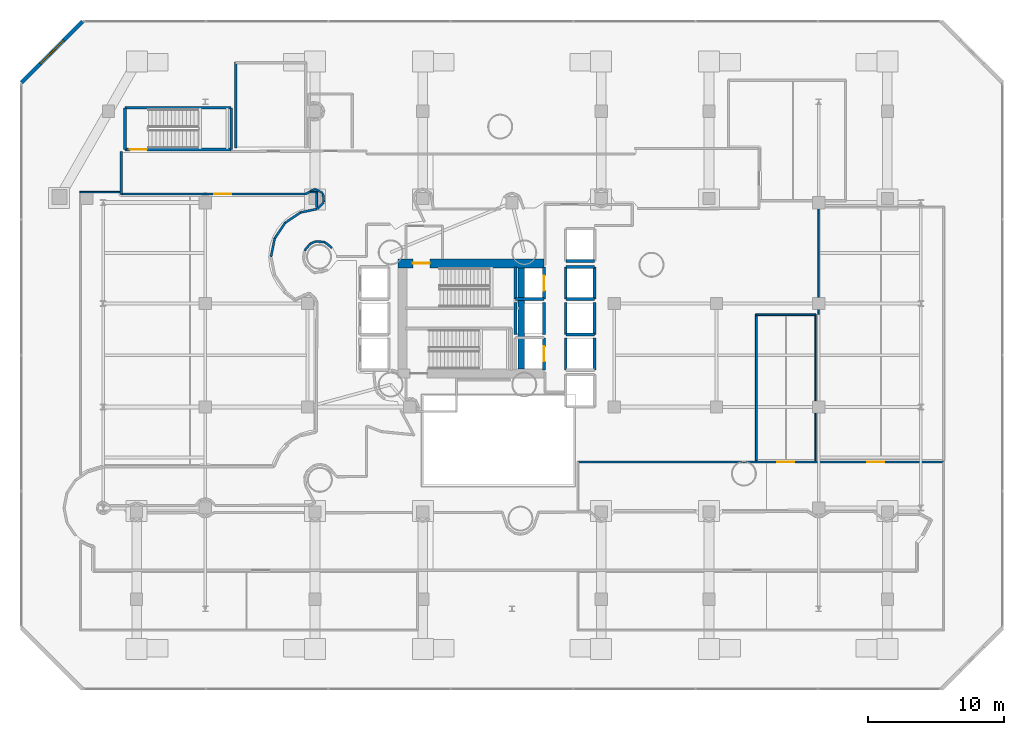
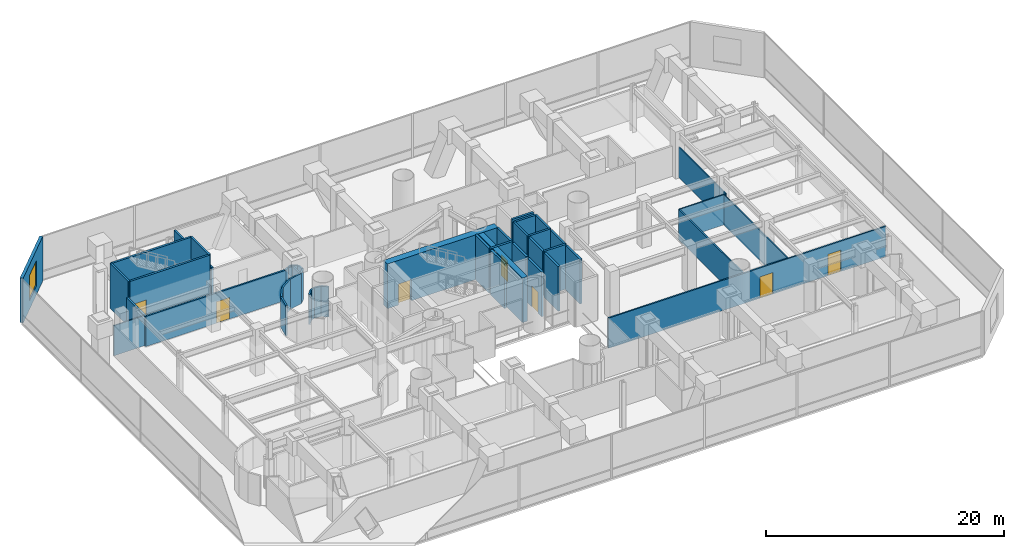
# One storey, part 33 of 45: 46 walls, 7 doors, 1 window, 8 openings.
"""IFC4 building model written with IfcOpenShell, lengths in metres."""

from ifc_helpers import new_model, si_unit, direction, frame, frame_2d, origin, place, context, subcontext, project, spatial, rectangle, extrude, material, layer, layer_set, type_object, element, fill, save


model = new_model("IFC4")

# Units and contexts
model_context = context("Model", 3, precision=1e-05, world=origin(), true_north=direction((0.0, 1.0)))
body_context = subcontext(model_context, "Body", "Model", "MODEL_VIEW")
ifc_project = project(units=[si_unit("LENGTHUNIT", "METRE"), si_unit("AREAUNIT", "SQUARE_METRE"), si_unit("VOLUMEUNIT", "CUBIC_METRE"), si_unit("PLANEANGLEUNIT", "RADIAN"), si_unit("MASSUNIT", "GRAM", prefix="KILO")], contexts=[model_context])

# Site, building, storey
site_placement = place(None, origin())
site = spatial("IfcSite", under=ifc_project, at=site_placement, CompositionType="ELEMENT")
building_placement = place(site_placement, origin())
building = spatial("IfcBuilding", under=site, at=building_placement, Name="Qianvela Tower", CompositionType="ELEMENT")
storey_placement = place(building_placement, frame((0.0, 0.0, 11.0)))
storey = spatial("IfcBuildingStorey", under=building, at=storey_placement, Name="L02", CompositionType="ELEMENT", Elevation=11.0)

# Wall, opening, window
ifc_material_1 = material(Name="Terracotta Cladding on Concrete C40", Category="masonry")
ifc_layer_1 = layer(ifc_material_1, 0.280029296875)
ifc_layer_set_1 = layer_set([ifc_layer_1], Name="Terracotta Cladding on Concrete C40")
wall_type_1 = type_object("IfcWallType", Name="TERRACOTTA-WALL-280", PredefinedType="SOLIDWALL", material=ifc_layer_set_1)
wall_1_placement = place(storey_placement, frame((6.0, 50.5, 0.0), z_axis=(0.0, 0.0, 1.0), x_axis=(-0.707106781187, -0.707106781187, 0.0)))
wall_1 = element("IfcWall", 1, at=wall_1_placement, inside=storey, type_object=wall_type_1, Name="L02 Terracotta Corner Wall 6", PredefinedType="SOLIDWALL", context=body_context, shape_type="SweptSolid", body=[
    extrude(rectangle(XDim=6.364013671875, YDim=0.280029296875, at=frame_2d((3.18212890625, 0.0))), origin(), (0.0, 0.0, 1.0), 4.580078125),
])
opening_1_placement = place(wall_1_placement, frame((1.98193359375, 0.0, 0.89990234375)))
opening_1 = element("IfcOpeningElement", 2, at=opening_1_placement, cuts=wall_1, Name="Opening W-05", PredefinedType="OPENING", context=body_context, shape_type="SweptSolid", body=[
    extrude(rectangle(XDim=2.39990234375, YDim=2.60009765625, at=frame_2d((1.199951171875, 1.300048828125))), frame((0.0, 0.14990234375, 0.0), z_axis=(0.0, -1.0, 0.0), x_axis=(1.0, 0.0, 0.0)), (0.0, 0.0, 1.0), 0.300048828125),
])
ifc_material_2 = material(Name="Thermally Broken Aluminium and Low-E Glass", Category="aluminium")
window_type = type_object("IfcWindowType", Name="WIN-POD-2400x2600", PartitioningType="TRIPLE_PANEL_VERTICAL", PredefinedType="WINDOW", material=ifc_material_2)
window_placement = place(opening_1_placement, origin())
window = element("IfcWindow", 3, at=window_placement, inside=storey, type_object=window_type, Name="L02 Chamfer Facet Window 6.1", OverallHeight=2.60009765625, OverallWidth=2.39990234375, PartitioningType="SINGLE_PANEL", PredefinedType="WINDOW", context=body_context, shape_type="SweptSolid", body=[
    extrude(rectangle(XDim=2.39990234375, YDim=2.60009765625, at=frame_2d((1.199951171875, 1.300048828125))), frame((0.0, 0.030029296875, 0.0), z_axis=(0.0, -1.0, 0.0), x_axis=(1.0, 0.0, 0.0)), (0.0, 0.0, 1.0), 0.06005859375),
])
fill(opening_1, window)

# Wall, opening, door
ifc_material_3 = material(Name="Concrete C60", Category="concrete")
ifc_layer_2 = layer(ifc_material_3, 0.64990234375)
ifc_layer_set_2 = layer_set([ifc_layer_2], Name="Concrete C60")
wall_type_2 = type_object("IfcWallType", Name="WT-CORE-650", PredefinedType="SHEAR", material=ifc_layer_set_2)
wall_2_placement = place(storey_placement, frame((29.1298828125, 32.7451171875, 0.0), z_axis=(0.0, 0.0, 1.0), x_axis=(1.0, 0.0, 0.0)))
wall_2 = element("IfcWall", 4, at=wall_2_placement, inside=storey, type_object=wall_type_2, Name="L02 North Core Shear Wall", PredefinedType="SHEAR", context=body_context, shape_type="SweptSolid", body=[
    extrude(rectangle(XDim=10.72021484375, YDim=0.64990234375, at=frame_2d((5.360107421875, 0.0))), origin(), (0.0, 0.0, 1.0), 4.580078125),
])
opening_2_placement = place(wall_2_placement, frame((1.094970703125, 0.0, 0.0)))
opening_2 = element("IfcOpeningElement", 5, at=opening_2_placement, cuts=wall_2, Name="Opening D-ST1", PredefinedType="OPENING", context=body_context, shape_type="SweptSolid", body=[
    extrude(rectangle(XDim=1.25, YDim=2.14990234375, at=frame_2d((0.625, 1.074951171875))), frame((0.0, 0.3349609375, 0.0), z_axis=(0.0, -1.0, 0.0), x_axis=(1.0, 0.0, 0.0)), (0.0, 0.0, 1.0), 0.669921875),
])
ifc_material_4 = material(Name="Galvanised Fire Steel Q355B", Category="steel")
door_type_1 = type_object("IfcDoorType", Name="DT-STAIR-FD90", OperationType="NOTDEFINED", PredefinedType="DOOR", material=ifc_material_4)
door_1_placement = place(opening_2_placement, origin())
door_1 = element("IfcDoor", 6, at=door_1_placement, inside=storey, type_object=door_type_1, Name="L02 Stair ST-1 Exit Door", OperationType="SINGLE_SWING_RIGHT", OverallHeight=2.14990234375, OverallWidth=1.25, PredefinedType="DOOR", context=body_context, shape_type="SweptSolid", body=[
    extrude(rectangle(XDim=1.25, YDim=2.14990234375, at=frame_2d((0.625, 1.074951171875))), frame((0.0, 0.02490234375, 0.0), z_axis=(0.0, -1.0, 0.0), x_axis=(1.0, 0.0, 0.0)), (0.0, 0.0, 1.0), 0.050048828125),
])
fill(opening_2, door_1)

# Walls
wall_3_placement = place(storey_placement, frame((38.179931640625, 24.97998046875, 0.0), z_axis=(0.0, 0.0, 1.0), x_axis=(0.0, 1.0, 0.0)))
element("IfcWall", 7, at=wall_3_placement, inside=storey, type_object=wall_type_2, Name="L02 East Spine Core Shear Wall", PredefinedType="SHEAR", context=body_context, shape_type="SweptSolid", body=[
    extrude(rectangle(XDim=7.43994140625, YDim=0.5, at=frame_2d((3.719970703125, 0.0))), origin(), (0.0, 0.0, 1.0), 4.580078125),
])
ifc_material_5 = material(Name="Fire-Rated Gypsum and Concrete Block", Category="concrete")
ifc_layer_3 = layer(ifc_material_5, 0.159912109375)
ifc_layer_set_3 = layer_set([ifc_layer_3], Name="Fire-Rated Gypsum and Concrete Block")
wall_type_3 = type_object("IfcWallType", Name="WT-CORR-160", PredefinedType="PARTITIONING", material=ifc_layer_set_3)
wall_4_placement = place(storey_placement, frame((19.818359375, 33.221923828125, 0.0), z_axis=(0.0, 0.0, 1.0), x_axis=(0.195099252282, 0.980783504021, 0.0)))
element("IfcWall", 8, at=wall_4_placement, inside=storey, type_object=wall_type_3, Name="L02 Partition 105", PredefinedType="PARTITIONING", context=body_context, shape_type="SweptSolid", body=[
    extrude(rectangle(XDim=1.38525390625, YDim=0.159912109375, at=frame_2d((0.692626953125, 0.0))), origin(), (0.0, 0.0, 1.0), 3.10009765625),
])
for number, where, z_axis, x_axis, name in (
    (9, (20.083984375, 34.5693359375, 0.0), (0.0, 0.0, 1.0), (0.555594771308, 0.831453215819, 0.0), "L02 Partition 106"),
    (10, (20.844970703125, 35.71240234375, 0.0), (0.0, 0.0, 1.0), (0.831453215819, 0.555594771308, 0.0), "L02 Partition 107"),
):
    element("IfcWall", number, at=place(storey_placement, frame(where, z_axis=z_axis, x_axis=x_axis)), inside=storey, type_object=wall_type_3, Name=name, PredefinedType="PARTITIONING", context=body_context, shape_type="SweptSolid", body=[
        extrude(rectangle(XDim=1.385009765625, YDim=0.159912109375, at=frame_2d((0.6923828125, 0.0))), origin(), (0.0, 0.0, 1.0), 3.10009765625),
    ])
wall_5_placement = place(storey_placement, frame((21.98583984375, 36.477294921875, 0.0), z_axis=(0.0, 0.0, 1.0), x_axis=(0.978580947187, 0.205862405023, 0.0)))
element("IfcWall", 11, at=wall_5_placement, inside=storey, type_object=wall_type_3, Name="L02 Partition 108", PredefinedType="PARTITIONING", context=body_context, shape_type="SweptSolid", body=[
    extrude(rectangle(XDim=1.246337890625, YDim=0.159912109375, at=frame_2d((0.623046875, 0.0))), origin(), (0.0, 0.0, 1.0), 3.10009765625),
])
wall_6_placement = place(storey_placement, frame((23.221435546875, 36.742919921875, 0.0), z_axis=(0.0, 0.0, 1.0), x_axis=(0.696042953303, 0.718000144259, 0.0)))
element("IfcWall", 12, at=wall_6_placement, inside=storey, type_object=wall_type_3, Name="L02 Partition 109", PredefinedType="PARTITIONING", context=body_context, shape_type="SweptSolid", body=[
    extrude(rectangle(XDim=0.667236328125, YDim=0.159912109375, at=frame_2d((0.33349609375, 0.0))), origin(), (0.0, 0.0, 1.0), 3.10009765625),
])
for number, where, z_axis, x_axis, name in (
    (13, (23.694580078125, 37.24658203125, 0.0), (0.0, 0.0, 1.0), (-0.098164363006, 0.995170215509, 0.0), "L02 Partition 110"),
    (14, (23.6162109375, 37.899658203125, 0.0), (0.0, 0.0, 1.0), (-0.882042462076, 0.471169921679, 0.0), "L02 Partition 111"),
):
    element("IfcWall", number, at=place(storey_placement, frame(where, z_axis=z_axis, x_axis=x_axis)), inside=storey, type_object=wall_type_3, Name=name, PredefinedType="PARTITIONING", context=body_context, shape_type="SweptSolid", body=[
        extrude(rectangle(XDim=0.631591796875, YDim=0.159912109375, at=frame_2d((0.31591796875, 0.0))), origin(), (0.0, 0.0, 1.0), 3.10009765625),
    ])
wall_7_placement = place(storey_placement, frame((23.02978515625, 38.197265625, 0.0), z_axis=(0.0, 0.0, 1.0), x_axis=(-0.880007613405, -0.474959577595, 0.0)))
element("IfcWall", 15, at=wall_7_placement, inside=storey, type_object=wall_type_3, Name="L02 Partition 112", PredefinedType="PARTITIONING", context=body_context, shape_type="SweptSolid", body=[
    extrude(rectangle(XDim=0.77880859375, YDim=0.159912109375, at=frame_2d((0.389404296875, 0.0))), origin(), (0.0, 0.0, 1.0), 3.10009765625),
])

# Wall, opening, door
wall_8_placement = place(storey_placement, frame((22.359130859375, 37.8310546875, 0.0), z_axis=(0.0, 0.0, 1.0), x_axis=(-1.0, 0.0, 0.0)))
wall_8 = element("IfcWall", 16, at=wall_8_placement, inside=storey, type_object=wall_type_3, Name="L02 Partition 113", PredefinedType="PARTITIONING", context=body_context, shape_type="SweptSolid", body=[
    extrude(rectangle(XDim=13.55908203125, YDim=0.159912109375, at=frame_2d((6.779541015625, 0.0))), origin(), (0.0, 0.0, 1.0), 3.10009765625),
])
opening_3_placement = place(wall_8_placement, frame((5.45458984375, 0.0, 0.0)))
opening_3 = element("IfcOpeningElement", 17, at=opening_3_placement, cuts=wall_8, Name="Opening D-LG1", PredefinedType="OPENING", context=body_context, shape_type="SweptSolid", body=[
    extrude(rectangle(XDim=1.25, YDim=2.199951171875, at=frame_2d((0.625, 1.10009765625))), frame((0.0, 0.08984375, 0.0), z_axis=(0.0, -1.0, 0.0), x_axis=(1.0, 0.0, 0.0)), (0.0, 0.0, 1.0), 0.179931640625),
])
ifc_material_6 = material(Name="Anodised Aluminium Acoustic Glass Door", Category="aluminium")
door_type_2 = type_object("IfcDoorType", Name="DT-LOUNGE-1250", OperationType="NOTDEFINED", PredefinedType="DOOR", material=ifc_material_6)
door_2_placement = place(opening_3_placement, origin())
door_2 = element("IfcDoor", 18, at=door_2_placement, inside=storey, type_object=door_type_2, Name="L02 Door L02 Social Study Lounge West to L02 Concourse Gallery Corridor", OperationType="SINGLE_SWING_LEFT", OverallHeight=2.199951171875, OverallWidth=1.25, PredefinedType="DOOR", context=body_context, shape_type="SweptSolid", body=[
    extrude(rectangle(XDim=1.25, YDim=2.199951171875, at=frame_2d((0.625, 1.10009765625))), frame((0.0, 0.02490234375, 0.0), z_axis=(0.0, -1.0, 0.0), x_axis=(1.0, 0.0, 0.0)), (0.0, 0.0, 1.0), 0.050048828125),
])
fill(opening_3, door_2)

# Walls
wall_9_placement = place(storey_placement, frame((8.8310546875, 37.800048828125, 0.0), z_axis=(0.0, 0.0, 1.0), x_axis=(0.0, 1.0, 0.0)))
element("IfcWall", 19, at=wall_9_placement, inside=storey, type_object=wall_type_3, Name="L02 Partition 114", PredefinedType="PARTITIONING", context=body_context, shape_type="SweptSolid", body=[
    extrude(rectangle(XDim=3.159912109375, YDim=0.159912109375, at=frame_2d((1.580078125, 0.0))), origin(), (0.0, 0.0, 1.0), 3.10009765625),
])
wall_10_placement = place(storey_placement, frame((24.288818359375, 33.874267578125, 0.0), z_axis=(0.0, 0.0, 1.0), x_axis=(-0.773002523958, 0.634402946048, 0.0)))
element("IfcWall", 20, at=wall_10_placement, inside=storey, type_object=wall_type_3, Name="L02 Partition 144", PredefinedType="PARTITIONING", context=body_context, shape_type="SweptSolid", body=[
    extrude(rectangle(XDim=0.64990234375, YDim=0.159912109375, at=frame_2d((0.324951171875, 0.0))), origin(), (0.0, 0.0, 1.0), 3.10009765625),
])
wall_11_placement = place(storey_placement, frame((23.76953125, 34.293701171875, 0.0), z_axis=(0.0, 0.0, 1.0), x_axis=(-0.995184807955, 0.098016315048, 0.0)))
element("IfcWall", 21, at=wall_11_placement, inside=storey, type_object=wall_type_3, Name="L02 Partition 145", PredefinedType="PARTITIONING", context=body_context, shape_type="SweptSolid", body=[
    extrude(rectangle(XDim=0.650146484375, YDim=0.159912109375, at=frame_2d((0.3251953125, 0.0))), origin(), (0.0, 0.0, 1.0), 3.10009765625),
])
wall_12_placement = place(storey_placement, frame((23.107666015625, 34.35498046875, 0.0), z_axis=(0.0, 0.0, 1.0), x_axis=(-0.924098490076, -0.382154393719, 0.0)))
element("IfcWall", 22, at=wall_12_placement, inside=storey, type_object=wall_type_3, Name="L02 Partition 146", PredefinedType="PARTITIONING", context=body_context, shape_type="SweptSolid", body=[
    extrude(rectangle(XDim=0.43701171875, YDim=0.159912109375, at=frame_2d((0.218505859375, 0.0))), origin(), (0.0, 0.0, 1.0), 3.10009765625),
])
wall_13_placement = place(storey_placement, frame((22.69189453125, 34.178955078125, 0.0), z_axis=(0.0, 0.0, 1.0), x_axis=(-0.634443165816, -0.772969513855, 0.0)))
element("IfcWall", 23, at=wall_13_placement, inside=storey, type_object=wall_type_3, Name="L02 Partition 147", PredefinedType="PARTITIONING", context=body_context, shape_type="SweptSolid", body=[
    extrude(rectangle(XDim=0.650390625, YDim=0.159912109375, at=frame_2d((0.3251953125, 0.0))), origin(), (0.0, 0.0, 1.0), 3.10009765625),
])
ifc_material_7 = material(Name="Lightweight Gypsum Room Partition")
ifc_layer_4 = layer(ifc_material_7, 0.10498046875)
ifc_layer_set_4 = layer_set([ifc_layer_4], Name="Lightweight Gypsum Room Partition")
wall_type_4 = type_object("IfcWallType", Name="WT-PART-105", PredefinedType="PARTITIONING", material=ifc_layer_set_4)
wall_14_placement = place(storey_placement, frame((59.76904296875, 29.0, 0.0), z_axis=(0.0, 0.0, 1.0), x_axis=(0.0, -1.0, 0.0)))
element("IfcWall", 24, at=wall_14_placement, inside=storey, type_object=wall_type_4, Name="L02 Partition 227", PredefinedType="PARTITIONING", context=body_context, shape_type="SweptSolid", body=[
    extrude(rectangle(XDim=10.738037109375, YDim=0.10498046875, at=frame_2d((5.369140625, 0.0))), origin(), (0.0, 0.0, 1.0), 3.10009765625),
])
wall_15_placement = place(storey_placement, frame((5.800048828125, 37.968994140625, 0.0), z_axis=(0.0, 0.0, 1.0), x_axis=(1.0, 0.0, 0.0)))
element("IfcWall", 25, at=wall_15_placement, inside=storey, type_object=wall_type_4, Name="L02 Partition 254 seg 1", PredefinedType="PARTITIONING", context=body_context, shape_type="SweptSolid", body=[
    extrude(rectangle(XDim=2.93798828125, YDim=0.10498046875, at=frame_2d((1.468994140625, 0.0))), origin(), (0.0, 0.0, 1.0), 3.10009765625),
])
wall_16_placement = place(storey_placement, frame((22.700439453125, 37.968994140625, 0.0), z_axis=(0.0, 0.0, 1.0), x_axis=(1.0, 0.0, 0.0)))
element("IfcWall", 26, at=wall_16_placement, inside=storey, type_object=wall_type_4, Name="L02 Partition 257", PredefinedType="PARTITIONING", context=body_context, shape_type="SweptSolid", body=[
    extrude(rectangle(XDim=0.49951171875, YDim=0.10498046875, at=frame_2d((0.249755859375, 0.0))), origin(), (0.0, 0.0, 1.0), 3.10009765625),
])
ifc_material_8 = material(Name="Insulated Gypsum Stud Partition")
ifc_layer_5 = layer(ifc_material_8, 0.1201171875)
ifc_layer_set_5 = layer_set([ifc_layer_5], Name="Insulated Gypsum Stud Partition")
wall_type_5 = type_object("IfcWallType", Name="WT-PART-120", PredefinedType="PARTITIONING", material=ifc_layer_set_5)
wall_17_placement = place(storey_placement, frame((55.39990234375, 28.968994140625, 0.0), z_axis=(0.0, 0.0, 1.0), x_axis=(1.0, 0.0, 0.0)))
element("IfcWall", 27, at=wall_17_placement, inside=storey, type_object=wall_type_5, Name="L02 Partition 226", PredefinedType="PARTITIONING", context=body_context, shape_type="SweptSolid", body=[
    extrude(rectangle(XDim=4.400146484375, YDim=0.1201171875, at=frame_2d((2.2001953125, 0.0))), origin(), (0.0, 0.0, 1.0), 3.10009765625),
])
wall_18_placement = place(storey_placement, frame((59.98095703125, 29.0, 0.0), z_axis=(0.0, 0.0, 1.0), x_axis=(0.0, 1.0, 0.0)))
element("IfcWall", 28, at=wall_18_placement, inside=storey, type_object=wall_type_5, Name="L02 Partition 229 seg 1", PredefinedType="PARTITIONING", context=body_context, shape_type="SweptSolid", body=[
    extrude(rectangle(XDim=7.89990234375, YDim=0.1201171875, at=frame_2d((3.949951171875, 0.0))), origin(), (0.0, 0.0, 1.0), 3.10009765625),
])
ifc_material_9 = material(Name="Moisture-Resistant Acoustic Plumbing Wall")
ifc_layer_6 = layer(ifc_material_9, 0.175048828125)
ifc_layer_set_6 = layer_set([ifc_layer_6], Name="Moisture-Resistant Acoustic Plumbing Wall")
wall_type_6 = type_object("IfcWallType", Name="WT-PLUMB-175", PredefinedType="PLUMBINGWALL", material=ifc_layer_set_6)
wall_19_placement = place(storey_placement, frame((17.23095703125, 41.199951171875, 0.0), z_axis=(0.0, 0.0, 1.0), x_axis=(0.0, 1.0, 0.0)))
element("IfcWall", 29, at=wall_19_placement, inside=storey, type_object=wall_type_6, Name="L02 Partition 260", PredefinedType="PLUMBINGWALL", context=body_context, shape_type="SweptSolid", body=[
    extrude(rectangle(XDim=6.300048828125, YDim=0.175048828125, at=frame_2d((3.14990234375, 0.0))), origin(), (0.0, 0.0, 1.0), 3.10009765625),
])

# Wall, openings, doors
ifc_material_10 = material(Name="Acoustic Double Gypsum Stud Partition")
ifc_layer_7 = layer(ifc_material_10, 0.139892578125)
ifc_layer_set_7 = layer_set([ifc_layer_7], Name="Acoustic Double Gypsum Stud Partition")
wall_type_7 = type_object("IfcWallType", Name="WT-ROOM-140", PredefinedType="PARTITIONING", material=ifc_layer_set_7)
wall_20_placement = place(storey_placement, frame((42.300048828125, 18.1689453125, 0.0), z_axis=(0.0, 0.0, 1.0), x_axis=(1.0, 0.0, 0.0)))
wall_20 = element("IfcWall", 30, at=wall_20_placement, inside=storey, type_object=wall_type_7, Name="L02 Partition 222", PredefinedType="PARTITIONING", context=body_context, shape_type="SweptSolid", body=[
    extrude(rectangle(XDim=26.89990234375, YDim=0.139892578125, at=frame_2d((13.449951171875, 0.0))), origin(), (0.0, 0.0, 1.0), 3.10009765625),
])
opening_4_placement = place(wall_20_placement, frame((14.675048828125, 0.0, 0.0)))
opening_4 = element("IfcOpeningElement", 31, at=opening_4_placement, cuts=wall_20, Name="Opening D-LG1", PredefinedType="OPENING", context=body_context, shape_type="SweptSolid", body=[
    extrude(rectangle(XDim=1.25, YDim=2.199951171875, at=frame_2d((0.625, 1.10009765625))), frame((0.0, 0.079833984375, 0.0), z_axis=(0.0, -1.0, 0.0), x_axis=(1.0, 0.0, 0.0)), (0.0, 0.0, 1.0), 0.159912109375),
])
opening_5_placement = place(wall_20_placement, frame((21.2783203125, 0.0, 0.0)))
opening_5 = element("IfcOpeningElement", 32, at=opening_5_placement, cuts=wall_20, Name="Opening D-LG1", PredefinedType="OPENING", context=body_context, shape_type="SweptSolid", body=[
    extrude(rectangle(XDim=1.25, YDim=2.199951171875, at=frame_2d((0.625, 1.10009765625))), frame((0.0, 0.079833984375, 0.0), z_axis=(0.0, -1.0, 0.0), x_axis=(1.0, 0.0, 0.0)), (0.0, 0.0, 1.0), 0.159912109375),
])
door_3_placement = place(opening_4_placement, origin())
door_3 = element("IfcDoor", 33, at=door_3_placement, inside=storey, type_object=door_type_2, Name="L02 Door L02 Graduate Seminar Room 1 to L02 Co-working Desk Workspace East", OperationType="SINGLE_SWING_LEFT", OverallHeight=2.199951171875, OverallWidth=1.25, PredefinedType="DOOR", context=body_context, shape_type="SweptSolid", body=[
    extrude(rectangle(XDim=1.25, YDim=2.199951171875, at=frame_2d((0.625, 1.10009765625))), frame((0.0, 0.02490234375, 0.0), z_axis=(0.0, -1.0, 0.0), x_axis=(1.0, 0.0, 0.0)), (0.0, 0.0, 1.0), 0.050048828125),
])
fill(opening_4, door_3)
door_4_placement = place(opening_5_placement, origin())
door_4 = element("IfcDoor", 34, at=door_4_placement, inside=storey, type_object=door_type_2, Name="L02 Door L02 Digital Research Office East to L02 Co-working Desk Workspace East", OperationType="SINGLE_SWING_RIGHT", OverallHeight=2.199951171875, OverallWidth=1.25, PredefinedType="DOOR", context=body_context, shape_type="SweptSolid", body=[
    extrude(rectangle(XDim=1.25, YDim=2.199951171875, at=frame_2d((0.625, 1.10009765625))), frame((0.0, 0.02490234375, 0.0), z_axis=(0.0, -1.0, 0.0), x_axis=(1.0, 0.0, 0.0)), (0.0, 0.0, 1.0), 0.050048828125),
])
fill(opening_5, door_4)

# Walls
wall_21_placement = place(storey_placement, frame((55.430908203125, 18.261962890625, 0.0), z_axis=(0.0, 0.0, 1.0), x_axis=(0.0, 1.0, 0.0)))
element("IfcWall", 35, at=wall_21_placement, inside=storey, type_object=wall_type_7, Name="L02 Partition 225", PredefinedType="PARTITIONING", context=body_context, shape_type="SweptSolid", body=[
    extrude(rectangle(XDim=10.738037109375, YDim=0.139892578125, at=frame_2d((5.369140625, 0.0))), origin(), (0.0, 0.0, 1.0), 3.10009765625),
])
wall_22_placement = place(storey_placement, frame((23.1689453125, 38.0, 0.0), z_axis=(0.0, 0.0, 1.0), x_axis=(0.0, -1.0, 0.0)))
element("IfcWall", 36, at=wall_22_placement, inside=storey, type_object=wall_type_7, Name="L02 Partition 258", PredefinedType="PARTITIONING", context=body_context, shape_type="SweptSolid", body=[
    extrude(rectangle(XDim=1.15478515625, YDim=0.139892578125, at=frame_2d((0.577392578125, 0.0))), origin(), (0.0, 0.0, 1.0), 3.10009765625),
])

# Wall, opening, door
ifc_material_11 = material(Name="Concrete C50", Category="concrete")
ifc_layer_8 = layer(ifc_material_11, 0.199951171875)
ifc_layer_set_8 = layer_set([ifc_layer_8], Name="Concrete C50")
wall_type_8 = type_object("IfcWallType", Name="WT-SHAFT-200", PredefinedType="SOLIDWALL", material=ifc_layer_set_8)
wall_23_placement = place(storey_placement, frame((9.10009765625, 41.10009765625, 0.0), z_axis=(0.0, 0.0, 1.0), x_axis=(1.0, 0.0, 0.0)))
wall_23 = element("IfcWall", 37, at=wall_23_placement, inside=storey, type_object=wall_type_8, Name="L02 Stair ST-3 South Wall", PredefinedType="SOLIDWALL", context=body_context, shape_type="SweptSolid", body=[
    extrude(rectangle(XDim=7.7998046875, YDim=0.199951171875, at=frame_2d((3.89990234375, 0.0))), origin(), (0.0, 0.0, 1.0), 4.580078125),
])
opening_6_placement = place(wall_23_placement, frame((0.360107421875, 0.0, 0.0)))
opening_6 = element("IfcOpeningElement", 38, at=opening_6_placement, cuts=wall_23, Name="Opening D-ST1", PredefinedType="OPENING", context=body_context, shape_type="SweptSolid", body=[
    extrude(rectangle(XDim=1.25, YDim=2.14990234375, at=frame_2d((0.625, 1.074951171875))), frame((0.0, 0.10986328125, 0.0), z_axis=(0.0, -1.0, 0.0), x_axis=(1.0, 0.0, 0.0)), (0.0, 0.0, 1.0), 0.219970703125),
])
door_5_placement = place(opening_6_placement, origin())
door_5 = element("IfcDoor", 39, at=door_5_placement, inside=storey, type_object=door_type_1, Name="L02 Stair ST-3 Exit Door", OperationType="SINGLE_SWING_LEFT", OverallHeight=2.14990234375, OverallWidth=1.25, PredefinedType="DOOR", context=body_context, shape_type="SweptSolid", body=[
    extrude(rectangle(XDim=1.25, YDim=2.14990234375, at=frame_2d((0.625, 1.074951171875))), frame((0.0, 0.02490234375, 0.0), z_axis=(0.0, -1.0, 0.0), x_axis=(1.0, 0.0, 0.0)), (0.0, 0.0, 1.0), 0.050048828125),
])
fill(opening_6, door_5)

# Walls
wall_24_placement = place(storey_placement, frame((9.10009765625, 44.159912109375, 0.0), z_axis=(0.0, 0.0, 1.0), x_axis=(1.0, 0.0, 0.0)))
element("IfcWall", 40, at=wall_24_placement, inside=storey, type_object=wall_type_8, Name="L02 Stair ST-3 North Wall", PredefinedType="SOLIDWALL", context=body_context, shape_type="SweptSolid", body=[
    extrude(rectangle(XDim=7.7998046875, YDim=0.199951171875, at=frame_2d((3.89990234375, 0.0))), origin(), (0.0, 0.0, 1.0), 4.580078125),
])
for number, where, z_axis, x_axis, name in (
    (41, (9.10009765625, 41.10009765625, 0.0), (0.0, 0.0, 1.0), (0.0, 1.0, 0.0), "L02 Stair ST-3 West Wall"),
    (42, (16.89990234375, 41.10009765625, 0.0), (0.0, 0.0, 1.0), (0.0, 1.0, 0.0), "L02 Stair ST-3 East Wall"),
):
    element("IfcWall", number, at=place(storey_placement, frame(where, z_axis=z_axis, x_axis=x_axis)), inside=storey, type_object=wall_type_8, Name=name, PredefinedType="SOLIDWALL", context=body_context, shape_type="SweptSolid", body=[
        extrude(rectangle(XDim=3.059814453125, YDim=0.199951171875, at=frame_2d((1.52978515625, 0.0))), origin(), (0.0, 0.0, 1.0), 4.580078125),
    ])

# Wall, opening, door
wall_25_placement = place(storey_placement, frame((39.85009765625, 30.1201171875, 0.0), z_axis=(0.0, 0.0, 1.0), x_axis=(0.0, 1.0, 0.0)))
wall_25 = element("IfcWall", 43, at=wall_25_placement, inside=storey, type_object=wall_type_8, Name="L02 Lift FL-1 E Shaft Wall", PredefinedType="SOLIDWALL", context=body_context, shape_type="SweptSolid", body=[
    extrude(rectangle(XDim=2.35986328125, YDim=0.199951171875, at=frame_2d((1.179931640625, 0.0))), origin(), (0.0, 0.0, 1.0), 4.580078125),
])
opening_7_placement = place(wall_25_placement, frame((0.6298828125, 0.0, 0.0)))
opening_7 = element("IfcOpeningElement", 44, at=opening_7_placement, cuts=wall_25, Name="Opening LD-01", PredefinedType="OPENING", context=body_context, shape_type="SweptSolid", body=[
    extrude(rectangle(XDim=1.10009765625, YDim=2.14990234375, at=frame_2d((0.550048828125, 1.074951171875))), frame((0.0, 0.10986328125, 0.0), z_axis=(0.0, -1.0, 0.0), x_axis=(1.0, 0.0, 0.0)), (0.0, 0.0, 1.0), 0.219970703125),
])
ifc_material_12 = material(Name="Brushed Stainless Steel Lift Landing Door", Category="steel")
door_type_3 = type_object("IfcDoorType", Name="DT-LIFT-SLIDE-1100", OperationType="SLIDING_TO_LEFT", PredefinedType="DOOR", material=ifc_material_12)
door_6_placement = place(opening_7_placement, origin())
door_6 = element("IfcDoor", 45, at=door_6_placement, inside=storey, type_object=door_type_3, Name="L02 Lift FL-1 Sliding Landing Door", OperationType="SLIDING_TO_LEFT", OverallHeight=2.14990234375, OverallWidth=1.10009765625, PredefinedType="DOOR", context=body_context, shape_type="SweptSolid", body=[
    extrude(rectangle(XDim=1.10009765625, YDim=2.14990234375, at=frame_2d((0.550048828125, 1.074951171875))), frame((0.0, 0.02490234375, 0.0), z_axis=(0.0, -1.0, 0.0), x_axis=(1.0, 0.0, 0.0)), (0.0, 0.0, 1.0), 0.050048828125),
])
fill(opening_7, door_6)

# Walls
wall_26_placement = place(storey_placement, frame((37.75, 30.1201171875, 0.0), z_axis=(0.0, 0.0, 1.0), x_axis=(0.0, 1.0, 0.0)))
element("IfcWall", 46, at=wall_26_placement, inside=storey, type_object=wall_type_8, Name="L02 Lift FL-1 W Shaft Wall", PredefinedType="SOLIDWALL", context=body_context, shape_type="SweptSolid", body=[
    extrude(rectangle(XDim=2.35986328125, YDim=0.199951171875, at=frame_2d((1.179931640625, 0.0))), origin(), (0.0, 0.0, 1.0), 4.580078125),
])
wall_27_placement = place(storey_placement, frame((37.75, 30.1201171875, 0.0), z_axis=(0.0, 0.0, 1.0), x_axis=(1.0, 0.0, 0.0)))
element("IfcWall", 47, at=wall_27_placement, inside=storey, type_object=wall_type_8, Name="L02 Lift FL-1 S Shaft Wall", PredefinedType="SOLIDWALL", context=body_context, shape_type="SweptSolid", body=[
    extrude(rectangle(XDim=2.10009765625, YDim=0.199951171875, at=frame_2d((1.050048828125, 0.0))), origin(), (0.0, 0.0, 1.0), 4.580078125),
])

# Wall, opening, door
wall_28_placement = place(storey_placement, frame((39.85009765625, 24.919921875, 0.0), z_axis=(0.0, 0.0, 1.0), x_axis=(0.0, 1.0, 0.0)))
wall_28 = element("IfcWall", 48, at=wall_28_placement, inside=storey, type_object=wall_type_8, Name="L02 Lift FL-2 E Shaft Wall", PredefinedType="SOLIDWALL", context=body_context, shape_type="SweptSolid", body=[
    extrude(rectangle(XDim=2.360107421875, YDim=0.199951171875, at=frame_2d((1.18017578125, 0.0))), origin(), (0.0, 0.0, 1.0), 4.580078125),
])
opening_8_placement = place(wall_28_placement, frame((0.6298828125, 0.0, 0.0)))
opening_8 = element("IfcOpeningElement", 49, at=opening_8_placement, cuts=wall_28, Name="Opening LD-01", PredefinedType="OPENING", context=body_context, shape_type="SweptSolid", body=[
    extrude(rectangle(XDim=1.10009765625, YDim=2.14990234375, at=frame_2d((0.550048828125, 1.074951171875))), frame((0.0, 0.10986328125, 0.0), z_axis=(0.0, -1.0, 0.0), x_axis=(1.0, 0.0, 0.0)), (0.0, 0.0, 1.0), 0.219970703125),
])
door_7_placement = place(opening_8_placement, origin())
door_7 = element("IfcDoor", 50, at=door_7_placement, inside=storey, type_object=door_type_3, Name="L02 Lift FL-2 Sliding Landing Door", OperationType="SLIDING_TO_LEFT", OverallHeight=2.14990234375, OverallWidth=1.10009765625, PredefinedType="DOOR", context=body_context, shape_type="SweptSolid", body=[
    extrude(rectangle(XDim=1.10009765625, YDim=2.14990234375, at=frame_2d((0.550048828125, 1.074951171875))), frame((0.0, 0.02490234375, 0.0), z_axis=(0.0, -1.0, 0.0), x_axis=(1.0, 0.0, 0.0)), (0.0, 0.0, 1.0), 0.050048828125),
])
fill(opening_8, door_7)

# Walls
for number, where, z_axis, x_axis, name in (
    (51, (43.550048828125, 30.1201171875, 0.0), (0.0, 0.0, 1.0), (0.0, 1.0, 0.0), "L02 Lift PL-M1 E Shaft Wall"),
    (52, (41.449951171875, 30.1201171875, 0.0), (0.0, 0.0, 1.0), (0.0, 1.0, 0.0), "L02 Lift PL-M1 W Shaft Wall"),
):
    element("IfcWall", number, at=place(storey_placement, frame(where, z_axis=z_axis, x_axis=x_axis)), inside=storey, type_object=wall_type_8, Name=name, PredefinedType="SOLIDWALL", context=body_context, shape_type="SweptSolid", body=[
        extrude(rectangle(XDim=2.35986328125, YDim=0.199951171875, at=frame_2d((1.179931640625, 0.0))), origin(), (0.0, 0.0, 1.0), 4.580078125),
    ])
for number, where, z_axis, x_axis, name in (
    (53, (41.449951171875, 32.47998046875, 0.0), (0.0, 0.0, 1.0), (1.0, 0.0, 0.0), "L02 Lift PL-M1 N Shaft Wall"),
    (54, (41.449951171875, 30.1201171875, 0.0), (0.0, 0.0, 1.0), (1.0, 0.0, 0.0), "L02 Lift PL-M1 S Shaft Wall"),
):
    element("IfcWall", number, at=place(storey_placement, frame(where, z_axis=z_axis, x_axis=x_axis)), inside=storey, type_object=wall_type_8, Name=name, PredefinedType="SOLIDWALL", context=body_context, shape_type="SweptSolid", body=[
        extrude(rectangle(XDim=2.10009765625, YDim=0.199951171875, at=frame_2d((1.050048828125, 0.0))), origin(), (0.0, 0.0, 1.0), 4.580078125),
    ])
for number, where, z_axis, x_axis, name in (
    (55, (43.550048828125, 27.52001953125, 0.0), (0.0, 0.0, 1.0), (0.0, 1.0, 0.0), "L02 Lift PL-M2 E Shaft Wall"),
    (56, (41.449951171875, 27.52001953125, 0.0), (0.0, 0.0, 1.0), (0.0, 1.0, 0.0), "L02 Lift PL-M2 W Shaft Wall"),
):
    element("IfcWall", number, at=place(storey_placement, frame(where, z_axis=z_axis, x_axis=x_axis)), inside=storey, type_object=wall_type_8, Name=name, PredefinedType="SOLIDWALL", context=body_context, shape_type="SweptSolid", body=[
        extrude(rectangle(XDim=2.35986328125, YDim=0.199951171875, at=frame_2d((1.179931640625, 0.0))), origin(), (0.0, 0.0, 1.0), 4.580078125),
    ])
wall_29_placement = place(storey_placement, frame((41.449951171875, 27.52001953125, 0.0), z_axis=(0.0, 0.0, 1.0), x_axis=(1.0, 0.0, 0.0)))
element("IfcWall", 57, at=wall_29_placement, inside=storey, type_object=wall_type_8, Name="L02 Lift PL-M2 S Shaft Wall", PredefinedType="SOLIDWALL", context=body_context, shape_type="SweptSolid", body=[
    extrude(rectangle(XDim=2.10009765625, YDim=0.199951171875, at=frame_2d((1.050048828125, 0.0))), origin(), (0.0, 0.0, 1.0), 4.580078125),
])
for number, where, z_axis, x_axis, name in (
    (58, (43.550048828125, 24.919921875, 0.0), (0.0, 0.0, 1.0), (0.0, 1.0, 0.0), "L02 Lift PL-M3 E Shaft Wall"),
    (59, (41.449951171875, 24.919921875, 0.0), (0.0, 0.0, 1.0), (0.0, 1.0, 0.0), "L02 Lift PL-M3 W Shaft Wall"),
):
    element("IfcWall", number, at=place(storey_placement, frame(where, z_axis=z_axis, x_axis=x_axis)), inside=storey, type_object=wall_type_8, Name=name, PredefinedType="SOLIDWALL", context=body_context, shape_type="SweptSolid", body=[
        extrude(rectangle(XDim=2.360107421875, YDim=0.199951171875, at=frame_2d((1.18017578125, 0.0))), origin(), (0.0, 0.0, 1.0), 4.580078125),
    ])
for number, where, z_axis, x_axis, name in (
    (60, (39.85009765625, 27.52001953125, 0.0), (0.0, 0.0, 1.0), (0.0, 1.0, 0.0), "L02 Lift PL-H1 E Shaft Wall"),
    (61, (37.75, 27.52001953125, 0.0), (0.0, 0.0, 1.0), (0.0, 1.0, 0.0), "L02 Lift PL-H1 W Shaft Wall"),
):
    element("IfcWall", number, at=place(storey_placement, frame(where, z_axis=z_axis, x_axis=x_axis)), inside=storey, type_object=wall_type_8, Name=name, PredefinedType="SOLIDWALL", context=body_context, shape_type="SweptSolid", body=[
        extrude(rectangle(XDim=2.35986328125, YDim=0.199951171875, at=frame_2d((1.179931640625, 0.0))), origin(), (0.0, 0.0, 1.0), 4.580078125),
    ])
wall_30_placement = place(storey_placement, frame((41.449951171875, 32.919921875, 0.0), z_axis=(0.0, 0.0, 1.0), x_axis=(1.0, 0.0, 0.0)))
element("IfcWall", 62, at=wall_30_placement, inside=storey, type_object=wall_type_8, Name="L02 Lift PL-H3 S Shaft Wall", PredefinedType="SOLIDWALL", context=body_context, shape_type="SweptSolid", body=[
    extrude(rectangle(XDim=2.10009765625, YDim=0.199951171875, at=frame_2d((1.050048828125, 0.0))), origin(), (0.0, 0.0, 1.0), 4.580078125),
])

save(model, "model.ifc")
